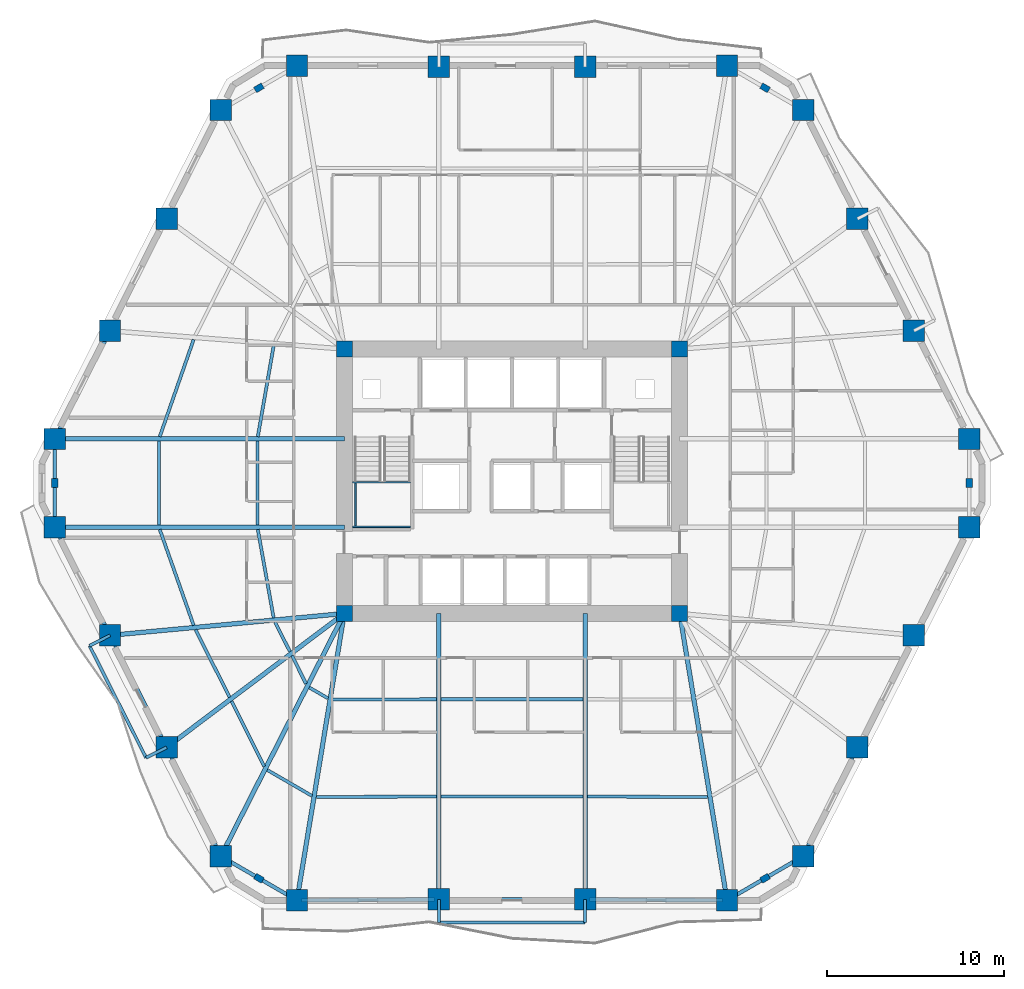
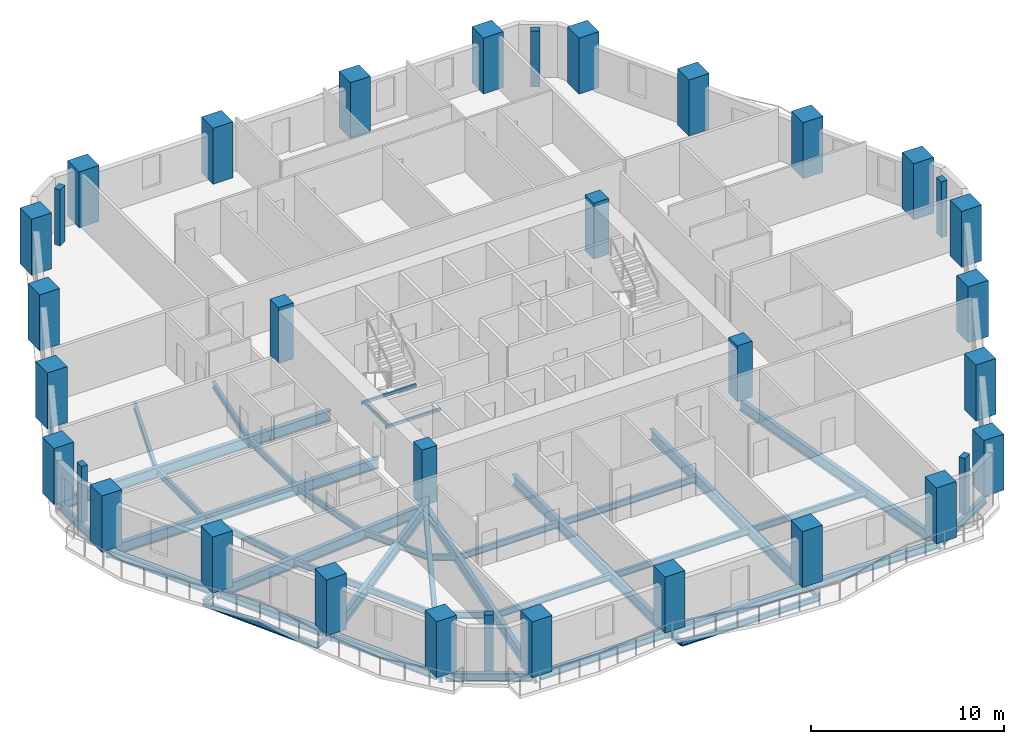
# One storey, part 1 of 11: 46 beams, 34 columns.
"""IFC4 building model written with IfcOpenShell, lengths in metres."""

from ifc_helpers import new_model, si_unit, direction, frame, origin, origin_2d, place, context, subcontext, project, spatial, rectangle, hollow_rectangle, i_section, extrude, material, material_profile, profile_set, type_object, element, save


model = new_model("IFC4")

# Units and contexts
model_context = context("Model", 3, precision=1e-05, world=origin(), true_north=direction((0.0, 1.0)))
body_context = subcontext(model_context, "Body", "Model", "MODEL_VIEW")
ifc_project = project(units=[si_unit("LENGTHUNIT", "METRE"), si_unit("AREAUNIT", "SQUARE_METRE"), si_unit("VOLUMEUNIT", "CUBIC_METRE"), si_unit("PLANEANGLEUNIT", "RADIAN"), si_unit("MASSUNIT", "GRAM", prefix="KILO")], contexts=[model_context])

# Site, building, storey
site_placement = place(None, origin())
site = spatial("IfcSite", under=ifc_project, at=site_placement, CompositionType="ELEMENT")
building_placement = place(site_placement, origin())
building = spatial("IfcBuilding", under=site, at=building_placement, Name="Cinnabar Lancet Tower", CompositionType="ELEMENT")
storey_placement = place(building_placement, frame((0.0, 0.0, 42.64990234375)))
storey = spatial("IfcBuildingStorey", under=building, at=storey_placement, Name="L10", CompositionType="ELEMENT", Elevation=42.64990234375)

# Columns
ifc_material_1 = material(Name="Concrete C80/95", Category="concrete")
ifc_material_profile_1 = material_profile(ifc_material_1, rectangle(XDim=0.89990234375, YDim=0.89990234375, at=origin_2d()), Name="RC-COL 900x900")
ifc_profile_set_1 = profile_set([ifc_material_profile_1], Name="Concrete C80/95")
column_type_1 = type_object("IfcColumnType", Name="STR-COL-CORE-900", PredefinedType="COLUMN", material=ifc_profile_set_1)
for number, where, z_axis, x_axis, name in (
    (1, (22.949951171875, 18.449951171875, 0.0), (0.0, 0.0, 1.0), (1.0, 0.0, 0.0), "L10 Core Corner Column SW"),
    (2, (41.85009765625, 18.449951171875, 0.0), (0.0, 0.0, 1.0), (1.0, 0.0, 0.0), "L10 Core Corner Column SE"),
    (3, (41.85009765625, 33.35009765625, 0.0), (0.0, 0.0, 1.0), (1.0, 0.0, 0.0), "L10 Core Corner Column NE"),
    (4, (22.949951171875, 33.35009765625, 0.0), (0.0, 0.0, 1.0), (1.0, 0.0, 0.0), "L10 Core Corner Column NW"),
):
    element("IfcColumn", number, at=place(storey_placement, frame(where, z_axis=z_axis, x_axis=x_axis)), inside=storey, type_object=column_type_1, Name=name, PredefinedType="COLUMN", context=body_context, shape_type="SweptSolid", body=[
        extrude(rectangle(XDim=0.89990234375, YDim=0.89990234375, at=origin_2d()), origin(), (0.0, 0.0, 1.0), 3.550048828125),
    ])
ifc_material_2 = material(Name="Concrete C60/75", Category="concrete")
ifc_material_profile_2 = material_profile(ifc_material_2, rectangle(XDim=0.5, YDim=0.35009765625, at=origin_2d()), Name="RC-PIL 500x350")
ifc_profile_set_2 = profile_set([ifc_material_profile_2], Name="Concrete C60/75")
column_type_2 = type_object("IfcColumnType", Name="STR-COL-PIL-500", PredefinedType="PILASTER", material=ifc_profile_set_2)
for number, where, z_axis, x_axis, name in (
    (5, (18.139892578125, 3.531005859375, 0.0), (0.0, 0.0, 1.0), (0.865195182343, -0.501435236546, 0.0), "L10 Chamfered Corner Pilaster 1"),
    (6, (46.659912109375, 3.531005859375, 0.0), (0.0, 0.0, 1.0), (0.865195182343, 0.501435236546, 0.0), "L10 Chamfered Corner Pilaster 2"),
    (7, (58.16796875, 25.800048828125, 0.0), (0.0, 0.0, 1.0), (0.0, 1.0, 0.0), "L10 Chamfered Corner Pilaster 3"),
    (8, (46.659912109375, 48.069091796875, 0.0), (0.0, 0.0, 1.0), (-0.865195182343, 0.501435236546, 0.0), "L10 Chamfered Corner Pilaster 4"),
    (9, (18.139892578125, 48.069091796875, 0.0), (0.0, 0.0, 1.0), (-0.865195182343, -0.501435236546, 0.0), "L10 Chamfered Corner Pilaster 5"),
    (10, (6.632080078125, 25.800048828125, 0.0), (0.0, 0.0, 1.0), (0.0, -1.0, 0.0), "L10 Chamfered Corner Pilaster 6"),
):
    element("IfcColumn", number, at=place(storey_placement, frame(where, z_axis=z_axis, x_axis=x_axis)), inside=storey, type_object=column_type_2, Name=name, PredefinedType="PILASTER", context=body_context, shape_type="SweptSolid", body=[
        extrude(rectangle(XDim=0.5, YDim=0.35009765625, at=origin_2d()), origin(), (0.0, 0.0, 1.0), 3.550048828125),
    ])
ifc_material_3 = material(Name="Concrete C80/95", Category="concrete")
ifc_material_profile_3 = material_profile(ifc_material_3, rectangle(XDim=1.199951171875, YDim=1.199951171875, at=origin_2d()), Name="RC-COL 1200x1200")
ifc_profile_set_3 = profile_set([ifc_material_profile_3], Name="Concrete C80/95")
column_type_3 = type_object("IfcColumnType", Name="STR-COL-TUBE-1200", PredefinedType="COLUMN", material=ifc_profile_set_3)
for number, where, z_axis, x_axis, name in (
    (11, (20.282958984375, 2.2890625, 0.0), (0.0, 0.0, 1.0), (1.0, 0.0, 0.0), "L10 Perimeter Tube Column 1"),
    (12, (28.278076171875, 2.342041015625, 0.0), (0.0, 0.0, 1.0), (1.0, 0.0, 0.0), "L10 Perimeter Tube Column 2"),
    (13, (36.52197265625, 2.342041015625, 0.0), (0.0, 0.0, 1.0), (1.0, 0.0, 0.0), "L10 Perimeter Tube Column 3"),
    (14, (44.51708984375, 2.2890625, 0.0), (0.0, 0.0, 1.0), (1.0, 0.0, 0.0), "L10 Perimeter Tube Column 4"),
    (15, (48.802978515625, 4.77294921875, 0.0), (0.0, 0.0, 1.0), (1.0, 0.0, 0.0), "L10 Perimeter Tube Column 5"),
    (16, (51.85888671875, 10.908935546875, 0.0), (0.0, 0.0, 1.0), (1.0, 0.0, 0.0), "L10 Perimeter Tube Column 6"),
    (17, (55.0458984375, 17.219970703125, 0.0), (0.0, 0.0, 1.0), (1.0, 0.0, 0.0), "L10 Perimeter Tube Column 7"),
    (18, (58.16796875, 23.31396484375, 0.0), (0.0, 0.0, 1.0), (1.0, 0.0, 0.0), "L10 Perimeter Tube Column 8"),
    (19, (58.16796875, 28.285888671875, 0.0), (0.0, 0.0, 1.0), (1.0, 0.0, 0.0), "L10 Perimeter Tube Column 9"),
    (20, (55.0458984375, 34.3798828125, 0.0), (0.0, 0.0, 1.0), (1.0, 0.0, 0.0), "L10 Perimeter Tube Column 10"),
    (21, (51.85888671875, 40.69091796875, 0.0), (0.0, 0.0, 1.0), (1.0, 0.0, 0.0), "L10 Perimeter Tube Column 11"),
    (22, (48.802978515625, 46.826904296875, 0.0), (0.0, 0.0, 1.0), (1.0, 0.0, 0.0), "L10 Perimeter Tube Column 12"),
    (23, (44.51708984375, 49.31103515625, 0.0), (0.0, 0.0, 1.0), (1.0, 0.0, 0.0), "L10 Perimeter Tube Column 13"),
    (24, (36.52197265625, 49.258056640625, 0.0), (0.0, 0.0, 1.0), (1.0, 0.0, 0.0), "L10 Perimeter Tube Column 14"),
    (25, (28.278076171875, 49.258056640625, 0.0), (0.0, 0.0, 1.0), (1.0, 0.0, 0.0), "L10 Perimeter Tube Column 15"),
    (26, (20.282958984375, 49.31103515625, 0.0), (0.0, 0.0, 1.0), (1.0, 0.0, 0.0), "L10 Perimeter Tube Column 16"),
    (27, (15.9970703125, 46.826904296875, 0.0), (0.0, 0.0, 1.0), (1.0, 0.0, 0.0), "L10 Perimeter Tube Column 17"),
    (28, (12.94091796875, 40.69091796875, 0.0), (0.0, 0.0, 1.0), (1.0, 0.0, 0.0), "L10 Perimeter Tube Column 18"),
    (29, (9.75390625, 34.3798828125, 0.0), (0.0, 0.0, 1.0), (1.0, 0.0, 0.0), "L10 Perimeter Tube Column 19"),
    (30, (6.632080078125, 28.285888671875, 0.0), (0.0, 0.0, 1.0), (1.0, 0.0, 0.0), "L10 Perimeter Tube Column 20"),
    (31, (6.632080078125, 23.31396484375, 0.0), (0.0, 0.0, 1.0), (1.0, 0.0, 0.0), "L10 Perimeter Tube Column 21"),
    (32, (9.75390625, 17.219970703125, 0.0), (0.0, 0.0, 1.0), (1.0, 0.0, 0.0), "L10 Perimeter Tube Column 22"),
    (33, (12.94091796875, 10.908935546875, 0.0), (0.0, 0.0, 1.0), (1.0, 0.0, 0.0), "L10 Perimeter Tube Column 23"),
    (34, (15.9970703125, 4.77294921875, 0.0), (0.0, 0.0, 1.0), (1.0, 0.0, 0.0), "L10 Perimeter Tube Column 24"),
):
    element("IfcColumn", number, at=place(storey_placement, frame(where, z_axis=z_axis, x_axis=x_axis)), inside=storey, type_object=column_type_3, Name=name, PredefinedType="COLUMN", context=body_context, shape_type="SweptSolid", body=[
        extrude(rectangle(XDim=1.199951171875, YDim=1.199951171875, at=origin_2d()), origin(), (0.0, 0.0, 1.0), 3.550048828125),
    ])

# Beams
ifc_material_4 = material(Name="Structural steel S355", Category="steel")
ifc_material_profile_4 = material_profile(ifc_material_4, i_section(OverallWidth=0.177978515625, OverallDepth=0.406494140625, WebThickness=0.0078125, FlangeThickness=0.0126953125, FilletRadius=0.01025390625, at=origin_2d()), Name="UKB 406x178x60")
ifc_profile_set_4 = profile_set([ifc_material_profile_4], Name="Structural steel S355")
beam_type_1 = type_object("IfcBeamType", Name="STR-BM-JST-406", PredefinedType="JOIST", material=ifc_profile_set_4)
beam_1_placement = place(storey_placement, frame((12.551025390625, 23.18701171875, -0.4228515625), z_axis=(0.333384030214, -0.942791115995, 0.0), x_axis=(0.942791115995, 0.333384030214, 0.0)))
element("IfcBeam", 35, at=beam_1_placement, inside=storey, type_object=beam_type_1, Name="L10 Secondary Floor Joist 1", PredefinedType="JOIST", context=body_context, shape_type="SweptSolid", body=[
    extrude(i_section(OverallWidth=0.177978515625, OverallDepth=0.406494140625, WebThickness=0.0078125, FlangeThickness=0.0126953125, FilletRadius=0.01025390625, at=origin_2d()), origin(), (0.0, 0.0, 1.0), 5.728759765625),
])
beam_2_placement = place(storey_placement, frame((18.076904296875, 23.18701171875, -0.4228515625), z_axis=(0.176294913937, -0.984337393031, 0.0), x_axis=(0.984337393031, 0.176294913937, 0.0)))
element("IfcBeam", 36, at=beam_2_placement, inside=storey, type_object=beam_type_1, Name="L10 Secondary Floor Joist 2", PredefinedType="JOIST", context=body_context, shape_type="SweptSolid", body=[
    extrude(i_section(OverallWidth=0.177978515625, OverallDepth=0.406494140625, WebThickness=0.0078125, FlangeThickness=0.0126953125, FilletRadius=0.01025390625, at=origin_2d()), origin(), (0.0, 0.0, 1.0), 5.060302734375),
])
beam_3_placement = place(storey_placement, frame((14.56591796875, 17.541015625, -0.4228515625), z_axis=(0.450809572228, -0.892620148545, 0.0), x_axis=(0.892620148545, 0.450809572228, 0.0)))
element("IfcBeam", 37, at=beam_3_placement, inside=storey, type_object=beam_type_1, Name="L10 Secondary Floor Joist 3", PredefinedType="JOIST", context=body_context, shape_type="SweptSolid", body=[
    extrude(i_section(OverallWidth=0.177978515625, OverallDepth=0.406494140625, WebThickness=0.0078125, FlangeThickness=0.0126953125, FilletRadius=0.01025390625, at=origin_2d()), origin(), (0.0, 0.0, 1.0), 4.25927734375),
])
beam_4_placement = place(storey_placement, frame((19.052978515625, 17.958984375, -0.4228515625), z_axis=(0.450632179195, -0.892709717139, 0.0), x_axis=(0.892709717139, 0.450632179195, 0.0)))
element("IfcBeam", 38, at=beam_4_placement, inside=storey, type_object=beam_type_1, Name="L10 Secondary Floor Joist 4", PredefinedType="JOIST", context=body_context, shape_type="SweptSolid", body=[
    extrude(i_section(OverallWidth=0.177978515625, OverallDepth=0.406494140625, WebThickness=0.0078125, FlangeThickness=0.0126953125, FilletRadius=0.01025390625, at=origin_2d()), origin(), (0.0, 0.0, 1.0), 1.85498046875),
])
beam_5_placement = place(storey_placement, frame((16.60205078125, 13.508056640625, -0.4228515625), z_axis=(0.445807799253, -0.895128709251, 0.0), x_axis=(0.895128709251, 0.445807799253, 0.0)))
element("IfcBeam", 39, at=beam_5_placement, inside=storey, type_object=beam_type_1, Name="L10 Secondary Floor Joist 5", PredefinedType="JOIST", context=body_context, shape_type="SweptSolid", body=[
    extrude(i_section(OverallWidth=0.177978515625, OverallDepth=0.406494140625, WebThickness=0.0078125, FlangeThickness=0.0126953125, FilletRadius=0.01025390625, at=origin_2d()), origin(), (0.0, 0.0, 1.0), 4.10009765625),
])
beam_6_placement = place(storey_placement, frame((20.0048828125, 16.072021484375, -0.4228515625), z_axis=(0.445888683384, -0.895088421347, 0.0), x_axis=(0.895088421347, 0.445888683384, 0.0)))
element("IfcBeam", 40, at=beam_6_placement, inside=storey, type_object=beam_type_1, Name="L10 Secondary Floor Joist 6", PredefinedType="JOIST", context=body_context, shape_type="SweptSolid", body=[
    extrude(i_section(OverallWidth=0.177978515625, OverallDepth=0.406494140625, WebThickness=0.0078125, FlangeThickness=0.0126953125, FilletRadius=0.01025390625, at=origin_2d()), origin(), (0.0, 0.0, 1.0), 1.76953125),
])
beam_7_placement = place(storey_placement, frame((18.610107421875, 9.633056640625, -0.4228515625), z_axis=(0.865209684948, -0.501410212373, 0.0), x_axis=(0.501410212373, 0.865209684948, 0.0)))
element("IfcBeam", 41, at=beam_7_placement, inside=storey, type_object=beam_type_1, Name="L10 Secondary Floor Joist 7", PredefinedType="JOIST", context=body_context, shape_type="SweptSolid", body=[
    extrude(i_section(OverallWidth=0.177978515625, OverallDepth=0.406494140625, WebThickness=0.0078125, FlangeThickness=0.0126953125, FilletRadius=0.01025390625, at=origin_2d()), origin(), (0.0, 0.0, 1.0), 2.90771484375),
])
beam_8_placement = place(storey_placement, frame((20.97412109375, 14.282958984375, -0.4228515625), z_axis=(0.865417177575, -0.50105200205, 0.0), x_axis=(0.50105200205, 0.865417177575, 0.0)))
element("IfcBeam", 42, at=beam_8_placement, inside=storey, type_object=beam_type_1, Name="L10 Secondary Floor Joist 8", PredefinedType="JOIST", context=body_context, shape_type="SweptSolid", body=[
    extrude(i_section(OverallWidth=0.177978515625, OverallDepth=0.406494140625, WebThickness=0.0078125, FlangeThickness=0.0126953125, FilletRadius=0.01025390625, at=origin_2d()), origin(), (0.0, 0.0, 1.0), 1.223388671875),
])
beam_9_placement = place(storey_placement, frame((21.3720703125, 8.10791015625, -0.4228515625), z_axis=(0.999988870422, 0.004717947923, 0.0), x_axis=(-0.004717947923, 0.999988870422, 0.0)))
element("IfcBeam", 43, at=beam_9_placement, inside=storey, type_object=beam_type_1, Name="L10 Secondary Floor Joist 9", PredefinedType="JOIST", context=body_context, shape_type="SweptSolid", body=[
    extrude(i_section(OverallWidth=0.177978515625, OverallDepth=0.406494140625, WebThickness=0.0078125, FlangeThickness=0.0126953125, FilletRadius=0.01025390625, at=origin_2d()), origin(), (0.0, 0.0, 1.0), 6.77880859375),
])
beam_10_placement = place(storey_placement, frame((22.279052734375, 13.60205078125, -0.4228515625), z_axis=(0.999996783665, 0.00253626892, 0.0), x_axis=(-0.00253626892, 0.999996783665, 0.0)))
element("IfcBeam", 44, at=beam_10_placement, inside=storey, type_object=beam_type_1, Name="L10 Secondary Floor Joist 10", PredefinedType="JOIST", context=body_context, shape_type="SweptSolid", body=[
    extrude(i_section(OverallWidth=0.177978515625, OverallDepth=0.406494140625, WebThickness=0.0078125, FlangeThickness=0.0126953125, FilletRadius=0.01025390625, at=origin_2d()), origin(), (0.0, 0.0, 1.0), 5.871826171875),
])
for number, where, z_axis, x_axis, name in (
    (45, (28.405029296875, 8.14111328125, -0.4228515625), (1.0, 0.0, 0.0), (0.0, 1.0, 0.0), "L10 Secondary Floor Joist 11"),
    (46, (28.405029296875, 13.617919921875, -0.4228515625), (1.0, 0.0, 0.0), (0.0, 1.0, 0.0), "L10 Secondary Floor Joist 12"),
):
    element("IfcBeam", number, at=place(storey_placement, frame(where, z_axis=z_axis, x_axis=x_axis)), inside=storey, type_object=beam_type_1, Name=name, PredefinedType="JOIST", context=body_context, shape_type="SweptSolid", body=[
        extrude(i_section(OverallWidth=0.177978515625, OverallDepth=0.406494140625, WebThickness=0.0078125, FlangeThickness=0.0126953125, FilletRadius=0.01025390625, at=origin_2d()), origin(), (0.0, 0.0, 1.0), 7.989990234375),
    ])
beam_11_placement = place(storey_placement, frame((36.64892578125, 8.139892578125, -0.4228515625), z_axis=(0.999988871223, -0.004717778015, 0.0), x_axis=(0.004717778015, 0.999988871223, 0.0)))
element("IfcBeam", 47, at=beam_11_placement, inside=storey, type_object=beam_type_1, Name="L10 Secondary Floor Joist 13", PredefinedType="JOIST", context=body_context, shape_type="SweptSolid", body=[
    extrude(i_section(OverallWidth=0.177978515625, OverallDepth=0.406494140625, WebThickness=0.0078125, FlangeThickness=0.0126953125, FilletRadius=0.01025390625, at=origin_2d()), origin(), (0.0, 0.0, 1.0), 6.779052734375),
])
beam_12_placement = place(storey_placement, frame((14.4609375, 33.885009765625, -0.4228515625), z_axis=(-0.329541584143, -0.944141061664, 0.0), x_axis=(0.944141061664, -0.329541584143, 0.0)))
element("IfcBeam", 48, at=beam_12_placement, inside=storey, type_object=beam_type_1, Name="L10 Secondary Floor Joist 45", PredefinedType="JOIST", context=body_context, shape_type="SweptSolid", body=[
    extrude(i_section(OverallWidth=0.177978515625, OverallDepth=0.406494140625, WebThickness=0.0078125, FlangeThickness=0.0126953125, FilletRadius=0.01025390625, at=origin_2d()), origin(), (0.0, 0.0, 1.0), 5.795654296875),
])
beam_13_placement = place(storey_placement, frame((18.968994140625, 33.532958984375, -0.4228515625), z_axis=(-0.17165440437, -0.985157228802, 0.0), x_axis=(0.985157228802, -0.17165440437, 0.0)))
element("IfcBeam", 49, at=beam_13_placement, inside=storey, type_object=beam_type_1, Name="L10 Secondary Floor Joist 46", PredefinedType="JOIST", context=body_context, shape_type="SweptSolid", body=[
    extrude(i_section(OverallWidth=0.177978515625, OverallDepth=0.406494140625, WebThickness=0.0078125, FlangeThickness=0.0126953125, FilletRadius=0.01025390625, at=origin_2d()), origin(), (0.0, 0.0, 1.0), 5.197021484375),
])
for number, where, z_axis, x_axis, name in (
    (50, (12.506103515625, 28.158935546875, -0.4228515625), (0.0, -1.0, 0.0), (1.0, 0.0, 0.0), "L10 Secondary Floor Joist 47"),
    (51, (18.054931640625, 28.158935546875, -0.4228515625), (0.0, -1.0, 0.0), (1.0, 0.0, 0.0), "L10 Secondary Floor Joist 48"),
):
    element("IfcBeam", number, at=place(storey_placement, frame(where, z_axis=z_axis, x_axis=x_axis)), inside=storey, type_object=beam_type_1, Name=name, PredefinedType="JOIST", context=body_context, shape_type="SweptSolid", body=[
        extrude(i_section(OverallWidth=0.177978515625, OverallDepth=0.406494140625, WebThickness=0.0078125, FlangeThickness=0.0126953125, FilletRadius=0.01025390625, at=origin_2d()), origin(), (0.0, 0.0, 1.0), 4.718017578125),
    ])
ifc_material_5 = material(Name="Structural steel S355", Category="steel")
ifc_material_profile_5 = material_profile(ifc_material_5, hollow_rectangle(XDim=0.10009765625, YDim=0.199951171875, WallThickness=0.008056640625, InnerFilletRadius=0.00390625, OuterFilletRadius=0.011962890625, at=origin_2d()), Name="RHS 200x100x8")
ifc_profile_set_5 = profile_set([ifc_material_profile_5], Name="Structural steel S355")
beam_type_2 = type_object("IfcBeamType", Name="STR-BM-LND-203", PredefinedType="BEAM", material=ifc_profile_set_5)
for number, where, z_axis, x_axis, name in (
    (52, (23.39990234375, 23.330078125, 1.47509765625), (1.0, 0.0, 0.0), (0.0, 1.0, 0.0), "L10 ST-1-L10 Landing Support Beam S"),
    (53, (23.39990234375, 25.844970703125, 1.47509765625), (1.0, 0.0, 0.0), (0.0, 1.0, 0.0), "L10 ST-1-L10 Landing Support Beam N"),
):
    element("IfcBeam", number, at=place(storey_placement, frame(where, z_axis=z_axis, x_axis=x_axis)), inside=storey, type_object=beam_type_2, Name=name, PredefinedType="BEAM", context=body_context, shape_type="SweptSolid", body=[
        extrude(hollow_rectangle(XDim=0.10009765625, YDim=0.199951171875, WallThickness=0.008056640625, InnerFilletRadius=0.00390625, OuterFilletRadius=0.011962890625, at=origin_2d()), origin(), (0.0, 0.0, 1.0), 3.280029296875),
    ])
beam_14_placement = place(storey_placement, frame((23.580078125, 23.3798828125, 1.47509765625), z_axis=(0.0, 1.0, 0.0), x_axis=(-1.0, 0.0, 0.0)))
element("IfcBeam", 54, at=beam_14_placement, inside=storey, type_object=beam_type_2, Name="L10 ST-1-L10 Landing Side Trimmer Beam", PredefinedType="BEAM", context=body_context, shape_type="SweptSolid", body=[
    extrude(hollow_rectangle(XDim=0.10009765625, YDim=0.199951171875, WallThickness=0.008056640625, InnerFilletRadius=0.00390625, OuterFilletRadius=0.011962890625, at=origin_2d()), origin(), (0.0, 0.0, 1.0), 2.4150390625),
])
ifc_material_6 = material(Name="Structural steel S355", Category="steel")
ifc_material_profile_6 = material_profile(ifc_material_6, i_section(OverallWidth=0.209228515625, OverallDepth=0.533203125, WebThickness=0.010009765625, FlangeThickness=0.015625, FilletRadius=0.0126953125, at=origin_2d()), Name="UKB 533x210x92")
ifc_profile_set_6 = profile_set([ifc_material_profile_6], Name="Structural steel S355")
beam_type_3 = type_object("IfcBeamType", Name="STR-BM-SPN-533", PredefinedType="SPANDREL", material=ifc_profile_set_6)
beam_15_placement = place(storey_placement, frame((20.532958984375, 2.291015625, -0.48681640625), z_axis=(0.99997856757, 0.006547090947, 0.0), x_axis=(-0.006547090947, 0.99997856757, 0.0)))
element("IfcBeam", 55, at=beam_15_placement, inside=storey, type_object=beam_type_3, Name="L10 Perimeter Spandrel 1", PredefinedType="SPANDREL", context=body_context, shape_type="SweptSolid", body=[
    extrude(i_section(OverallWidth=0.209228515625, OverallDepth=0.533203125, WebThickness=0.010009765625, FlangeThickness=0.015625, FilletRadius=0.0126953125, at=origin_2d()), origin(), (0.0, 0.0, 1.0), 7.495361328125),
])
beam_16_placement = place(storey_placement, frame((28.528076171875, 2.342041015625, -0.48681640625), z_axis=(1.0, 0.0, 0.0), x_axis=(0.0, 1.0, 0.0)))
element("IfcBeam", 56, at=beam_16_placement, inside=storey, type_object=beam_type_3, Name="L10 Perimeter Spandrel 2", PredefinedType="SPANDREL", context=body_context, shape_type="SweptSolid", body=[
    extrude(i_section(OverallWidth=0.209228515625, OverallDepth=0.533203125, WebThickness=0.010009765625, FlangeThickness=0.015625, FilletRadius=0.0126953125, at=origin_2d()), origin(), (0.0, 0.0, 1.0), 7.743896484375),
])
beam_17_placement = place(storey_placement, frame((36.77197265625, 2.340087890625, -0.48681640625), z_axis=(0.99997856757, -0.006547090947, 0.0), x_axis=(0.006547090947, 0.99997856757, 0.0)))
element("IfcBeam", 57, at=beam_17_placement, inside=storey, type_object=beam_type_3, Name="L10 Perimeter Spandrel 3", PredefinedType="SPANDREL", context=body_context, shape_type="SweptSolid", body=[
    extrude(i_section(OverallWidth=0.209228515625, OverallDepth=0.533203125, WebThickness=0.010009765625, FlangeThickness=0.015625, FilletRadius=0.0126953125, at=origin_2d()), origin(), (0.0, 0.0, 1.0), 7.495361328125),
])
beam_18_placement = place(storey_placement, frame((44.73291015625, 2.4140625, -0.48681640625), z_axis=(0.865171017323, 0.501476929463, 0.0), x_axis=(-0.501476929463, 0.865171017323, 0.0)))
element("IfcBeam", 58, at=beam_18_placement, inside=storey, type_object=beam_type_3, Name="L10 Perimeter Spandrel 4", PredefinedType="SPANDREL", context=body_context, shape_type="SweptSolid", body=[
    extrude(i_section(OverallWidth=0.209228515625, OverallDepth=0.533203125, WebThickness=0.010009765625, FlangeThickness=0.015625, FilletRadius=0.0126953125, at=origin_2d()), origin(), (0.0, 0.0, 1.0), 4.45458984375),
])
beam_19_placement = place(storey_placement, frame((48.9140625, 4.9970703125, -0.48681640625), z_axis=(0.445953050023, 0.89505635419, 0.0), x_axis=(-0.89505635419, 0.445953050023, 0.0)))
element("IfcBeam", 59, at=beam_19_placement, inside=storey, type_object=beam_type_3, Name="L10 Perimeter Spandrel 5", PredefinedType="SPANDREL", context=body_context, shape_type="SweptSolid", body=[
    extrude(i_section(OverallWidth=0.209228515625, OverallDepth=0.533203125, WebThickness=0.010009765625, FlangeThickness=0.015625, FilletRadius=0.0126953125, at=origin_2d()), origin(), (0.0, 0.0, 1.0), 6.35498046875),
])
beam_20_placement = place(storey_placement, frame((9.639892578125, 34.156982421875, -0.48681640625), z_axis=(-0.455994051912, -0.889982822655, 0.0), x_axis=(0.889982822655, -0.455994051912, 0.0)))
element("IfcBeam", 60, at=beam_20_placement, inside=storey, type_object=beam_type_3, Name="L10 Perimeter Spandrel 19", PredefinedType="SPANDREL", context=body_context, shape_type="SweptSolid", body=[
    extrude(i_section(OverallWidth=0.209228515625, OverallDepth=0.533203125, WebThickness=0.010009765625, FlangeThickness=0.015625, FilletRadius=0.0126953125, at=origin_2d()), origin(), (0.0, 0.0, 1.0), 6.34619140625),
])
beam_21_placement = place(storey_placement, frame((6.632080078125, 28.035888671875, -0.48681640625), z_axis=(0.0, -1.0, 0.0), x_axis=(1.0, 0.0, 0.0)))
element("IfcBeam", 61, at=beam_21_placement, inside=storey, type_object=beam_type_3, Name="L10 Perimeter Spandrel 20", PredefinedType="SPANDREL", context=body_context, shape_type="SweptSolid", body=[
    extrude(i_section(OverallWidth=0.209228515625, OverallDepth=0.533203125, WebThickness=0.010009765625, FlangeThickness=0.015625, FilletRadius=0.0126953125, at=origin_2d()), origin(), (0.0, 0.0, 1.0), 4.471923828125),
])
beam_22_placement = place(storey_placement, frame((6.74609375, 23.091064453125, -0.48681640625), z_axis=(0.455994051912, -0.889982822655, 0.0), x_axis=(0.889982822655, 0.455994051912, 0.0)))
element("IfcBeam", 62, at=beam_22_placement, inside=storey, type_object=beam_type_3, Name="L10 Perimeter Spandrel 21", PredefinedType="SPANDREL", context=body_context, shape_type="SweptSolid", body=[
    extrude(i_section(OverallWidth=0.209228515625, OverallDepth=0.533203125, WebThickness=0.010009765625, FlangeThickness=0.015625, FilletRadius=0.0126953125, at=origin_2d()), origin(), (0.0, 0.0, 1.0), 6.34619140625),
])
beam_23_placement = place(storey_placement, frame((9.866943359375, 16.9970703125, -0.48681640625), z_axis=(0.450673532306, -0.892688841242, 0.0), x_axis=(0.892688841242, 0.450673532306, 0.0)))
element("IfcBeam", 63, at=beam_23_placement, inside=storey, type_object=beam_type_3, Name="L10 Perimeter Spandrel 22", PredefinedType="SPANDREL", context=body_context, shape_type="SweptSolid", body=[
    extrude(i_section(OverallWidth=0.209228515625, OverallDepth=0.533203125, WebThickness=0.010009765625, FlangeThickness=0.015625, FilletRadius=0.0126953125, at=origin_2d()), origin(), (0.0, 0.0, 1.0), 6.570068359375),
])
beam_24_placement = place(storey_placement, frame((13.052001953125, 10.68505859375, -0.48681640625), z_axis=(0.445953050023, -0.89505635419, 0.0), x_axis=(0.89505635419, 0.445953050023, 0.0)))
element("IfcBeam", 64, at=beam_24_placement, inside=storey, type_object=beam_type_3, Name="L10 Perimeter Spandrel 23", PredefinedType="SPANDREL", context=body_context, shape_type="SweptSolid", body=[
    extrude(i_section(OverallWidth=0.209228515625, OverallDepth=0.533203125, WebThickness=0.010009765625, FlangeThickness=0.015625, FilletRadius=0.0126953125, at=origin_2d()), origin(), (0.0, 0.0, 1.0), 6.35498046875),
])
beam_25_placement = place(storey_placement, frame((16.212890625, 4.64794921875, -0.48681640625), z_axis=(0.865171017323, -0.501476929463, 0.0), x_axis=(0.501476929463, 0.865171017323, 0.0)))
element("IfcBeam", 65, at=beam_25_placement, inside=storey, type_object=beam_type_3, Name="L10 Perimeter Spandrel 24", PredefinedType="SPANDREL", context=body_context, shape_type="SweptSolid", body=[
    extrude(i_section(OverallWidth=0.209228515625, OverallDepth=0.533203125, WebThickness=0.010009765625, FlangeThickness=0.015625, FilletRadius=0.0126953125, at=origin_2d()), origin(), (0.0, 0.0, 1.0), 4.45458984375),
])
ifc_material_7 = material(Name="Structural steel S355", Category="steel")
ifc_material_profile_7 = material_profile(ifc_material_7, i_section(OverallWidth=0.253662109375, OverallDepth=0.68359375, WebThickness=0.012451171875, FlangeThickness=0.01904296875, FilletRadius=0.01513671875, at=origin_2d()), Name="UKB 686x254x140")
ifc_profile_set_7 = profile_set([ifc_material_profile_7], Name="Structural steel S355")
beam_type_4 = type_object("IfcBeamType", Name="STR-BM-UKB686-140", PredefinedType="BEAM", material=ifc_profile_set_7)
beam_26_placement = place(storey_placement, frame((12.94091796875, 10.908935546875, -0.56201171875), z_axis=(0.798686588468, 0.601747233812, 0.0), x_axis=(-0.601747233812, 0.798686588468, 0.0)))
element("IfcBeam", 66, at=beam_26_placement, inside=storey, type_object=beam_type_4, Name="L10 Corner Collector Girder 1", PredefinedType="BEAM", context=body_context, shape_type="SweptSolid", body=[
    extrude(i_section(OverallWidth=0.253662109375, OverallDepth=0.68359375, WebThickness=0.012451171875, FlangeThickness=0.01904296875, FilletRadius=0.01513671875, at=origin_2d()), origin(), (0.0, 0.0, 1.0), 12.531982421875),
])
beam_27_placement = place(storey_placement, frame((20.282958984375, 2.2890625, -0.56201171875), z_axis=(0.162825264118, 0.986654921117, 0.0), x_axis=(-0.986654921117, 0.162825264118, 0.0)))
element("IfcBeam", 67, at=beam_27_placement, inside=storey, type_object=beam_type_4, Name="L10 Primary Floor Girder 1", PredefinedType="BEAM", context=body_context, shape_type="SweptSolid", body=[
    extrude(i_section(OverallWidth=0.253662109375, OverallDepth=0.68359375, WebThickness=0.012451171875, FlangeThickness=0.01904296875, FilletRadius=0.01513671875, at=origin_2d()), origin(), (0.0, 0.0, 1.0), 16.37939453125),
])
for number, where, z_axis, x_axis, name in (
    (68, (28.278076171875, 2.342041015625, -0.56201171875), (0.0, 1.0, 0.0), (-1.0, 0.0, 0.0), "L10 Primary Floor Girder 2"),
    (69, (36.52197265625, 2.342041015625, -0.56201171875), (0.0, 1.0, 0.0), (-1.0, 0.0, 0.0), "L10 Primary Floor Girder 3"),
):
    element("IfcBeam", number, at=place(storey_placement, frame(where, z_axis=z_axis, x_axis=x_axis)), inside=storey, type_object=beam_type_4, Name=name, PredefinedType="BEAM", context=body_context, shape_type="SweptSolid", body=[
        extrude(i_section(OverallWidth=0.253662109375, OverallDepth=0.68359375, WebThickness=0.012451171875, FlangeThickness=0.01904296875, FilletRadius=0.01513671875, at=origin_2d()), origin(), (0.0, 0.0, 1.0), 16.10791015625),
    ])
beam_28_placement = place(storey_placement, frame((44.51708984375, 2.2890625, -0.56201171875), z_axis=(-0.162825264118, 0.986654921117, 0.0), x_axis=(-0.986654921117, -0.162825264118, 0.0)))
element("IfcBeam", 70, at=beam_28_placement, inside=storey, type_object=beam_type_4, Name="L10 Primary Floor Girder 4", PredefinedType="BEAM", context=body_context, shape_type="SweptSolid", body=[
    extrude(i_section(OverallWidth=0.253662109375, OverallDepth=0.68359375, WebThickness=0.012451171875, FlangeThickness=0.01904296875, FilletRadius=0.01513671875, at=origin_2d()), origin(), (0.0, 0.0, 1.0), 16.37939453125),
])
for number, where, z_axis, x_axis, name in (
    (71, (6.632080078125, 28.285888671875, -0.56201171875), (1.0, 0.0, 0.0), (0.0, 1.0, 0.0), "L10 Primary Floor Girder 20"),
    (72, (6.632080078125, 23.31396484375, -0.56201171875), (1.0, 0.0, 0.0), (0.0, 1.0, 0.0), "L10 Primary Floor Girder 21"),
):
    element("IfcBeam", number, at=place(storey_placement, frame(where, z_axis=z_axis, x_axis=x_axis)), inside=storey, type_object=beam_type_4, Name=name, PredefinedType="BEAM", context=body_context, shape_type="SweptSolid", body=[
        extrude(i_section(OverallWidth=0.253662109375, OverallDepth=0.68359375, WebThickness=0.012451171875, FlangeThickness=0.01904296875, FilletRadius=0.01513671875, at=origin_2d()), origin(), (0.0, 0.0, 1.0), 16.31787109375),
    ])
beam_29_placement = place(storey_placement, frame((9.75390625, 17.219970703125, -0.56201171875), z_axis=(0.995684210255, 0.092805998987, 0.0), x_axis=(-0.092805998987, 0.995684210255, 0.0)))
element("IfcBeam", 73, at=beam_29_placement, inside=storey, type_object=beam_type_4, Name="L10 Primary Floor Girder 22", PredefinedType="BEAM", context=body_context, shape_type="SweptSolid", body=[
    extrude(i_section(OverallWidth=0.253662109375, OverallDepth=0.68359375, WebThickness=0.012451171875, FlangeThickness=0.01904296875, FilletRadius=0.01513671875, at=origin_2d()), origin(), (0.0, 0.0, 1.0), 13.253173828125),
])
beam_30_placement = place(storey_placement, frame((15.9970703125, 4.77294921875, -0.56201171875), z_axis=(0.453167599586, 0.89142533433, 0.0), x_axis=(-0.89142533433, 0.453167599586, 0.0)))
element("IfcBeam", 74, at=beam_30_placement, inside=storey, type_object=beam_type_4, Name="L10 Primary Floor Girder 24", PredefinedType="BEAM", context=body_context, shape_type="SweptSolid", body=[
    extrude(i_section(OverallWidth=0.253662109375, OverallDepth=0.68359375, WebThickness=0.012451171875, FlangeThickness=0.01904296875, FilletRadius=0.01513671875, at=origin_2d()), origin(), (0.0, 0.0, 1.0), 15.3427734375),
])
ifc_material_8 = material(Name="Structural steel S355", Category="steel")
ifc_material_profile_8 = material_profile(ifc_material_8, i_section(OverallWidth=0.17138671875, OverallDepth=0.35498046875, WebThickness=0.00732421875, FlangeThickness=0.011474609375, FilletRadius=0.01025390625, at=origin_2d()), Name="UKB 356x171x51")
ifc_profile_set_8 = profile_set([ifc_material_profile_8], Name="Structural steel S355")
beam_type_5 = type_object("IfcBeamType", Name="STR-BM-WAV-OUT", PredefinedType="BEAM", material=ifc_profile_set_8)
for number, where, z_axis, x_axis, name in (
    (75, (28.278076171875, 2.342041015625, -0.39794921875), (0.0, -1.0, 0.0), (1.0, 0.0, 0.0), "L10 Face 1 Balcony Outlooker A"),
    (76, (36.52197265625, 2.342041015625, -0.39794921875), (0.0, -1.0, 0.0), (1.0, 0.0, 0.0), "L10 Face 1 Balcony Outlooker B"),
    (77, (9.75390625, 17.219970703125, -0.39794921875), (-0.89227592947, -0.451490493464, 0.0), (0.451490493464, -0.89227592947, 0.0), "L10 Face 6 Balcony Outlooker A"),
    (78, (12.94091796875, 10.908935546875, -0.39794921875), (-0.89227592947, -0.451490493464, 0.0), (0.451490493464, -0.89227592947, 0.0), "L10 Face 6 Balcony Outlooker B"),
):
    element("IfcBeam", number, at=place(storey_placement, frame(where, z_axis=z_axis, x_axis=x_axis)), inside=storey, type_object=beam_type_5, Name=name, PredefinedType="BEAM", context=body_context, shape_type="SweptSolid", body=[
        extrude(i_section(OverallWidth=0.17138671875, OverallDepth=0.35498046875, WebThickness=0.00732421875, FlangeThickness=0.011474609375, FilletRadius=0.01025390625, at=origin_2d()), origin(), (0.0, 0.0, 1.0), 1.300048828125),
    ])
ifc_material_9 = material(Name="Structural steel S355", Category="steel")
ifc_material_profile_9 = material_profile(ifc_material_9, i_section(OverallWidth=0.17138671875, OverallDepth=0.35498046875, WebThickness=0.00732421875, FlangeThickness=0.011474609375, FilletRadius=0.01025390625, at=origin_2d()), Name="UKB 356x171x51")
ifc_profile_set_9 = profile_set([ifc_material_profile_9], Name="Structural steel S355")
beam_type_6 = type_object("IfcBeamType", Name="STR-BM-WAV-TRIM", PredefinedType="SPANDREL", material=ifc_profile_set_9)
beam_31_placement = place(storey_placement, frame((28.278076171875, 1.0419921875, -0.39794921875), z_axis=(1.0, 0.0, 0.0), x_axis=(0.0, 1.0, 0.0)))
element("IfcBeam", 79, at=beam_31_placement, inside=storey, type_object=beam_type_6, Name="L10 Face 1 Balcony Edge Trimmer", PredefinedType="SPANDREL", context=body_context, shape_type="SweptSolid", body=[
    extrude(i_section(OverallWidth=0.17138671875, OverallDepth=0.35498046875, WebThickness=0.00732421875, FlangeThickness=0.011474609375, FilletRadius=0.01025390625, at=origin_2d()), origin(), (0.0, 0.0, 1.0), 8.243896484375),
])
beam_32_placement = place(storey_placement, frame((8.593994140625, 16.633056640625, -0.39794921875), z_axis=(0.450773692627, -0.892638268301, 0.0), x_axis=(0.892638268301, 0.450773692627, 0.0)))
element("IfcBeam", 80, at=beam_32_placement, inside=storey, type_object=beam_type_6, Name="L10 Face 6 Balcony Edge Trimmer", PredefinedType="SPANDREL", context=body_context, shape_type="SweptSolid", body=[
    extrude(i_section(OverallWidth=0.17138671875, OverallDepth=0.35498046875, WebThickness=0.00732421875, FlangeThickness=0.011474609375, FilletRadius=0.01025390625, at=origin_2d()), origin(), (0.0, 0.0, 1.0), 7.070068359375),
])

save(model, "model.ifc")
